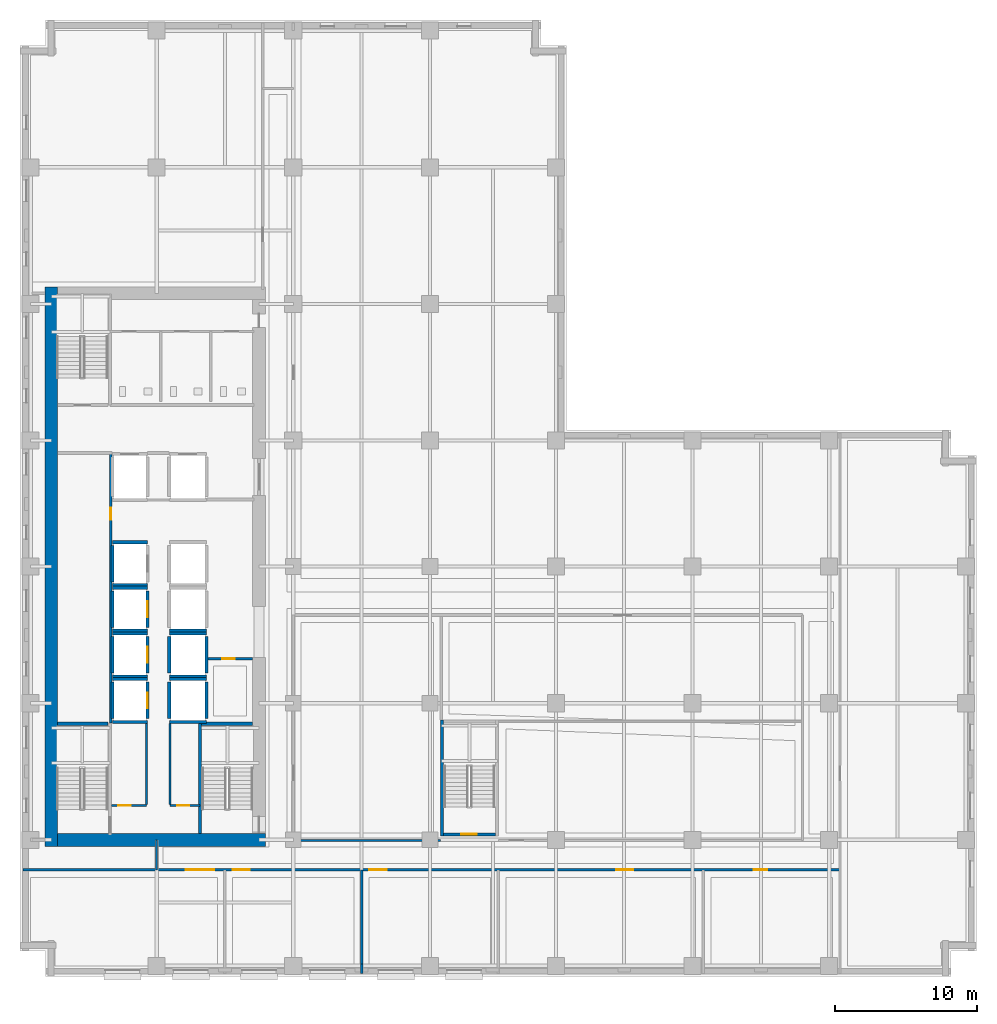
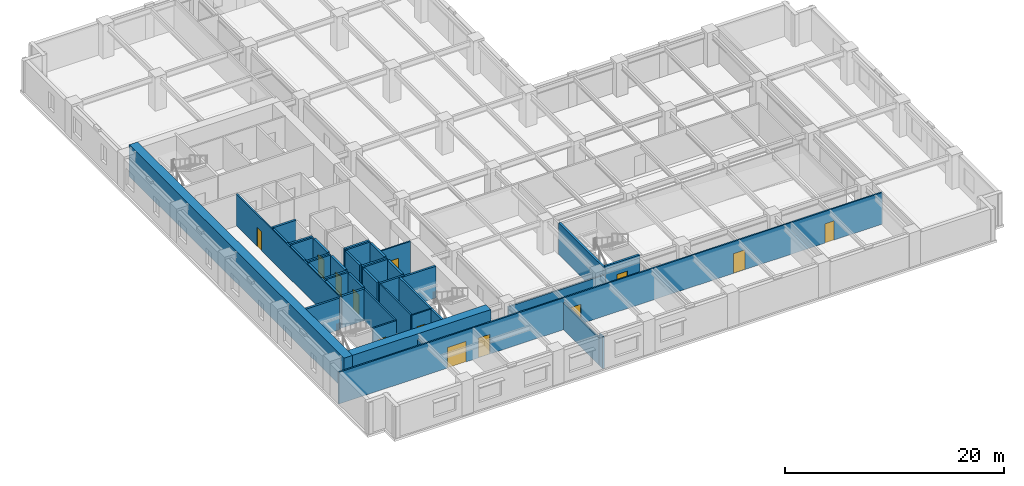
# One storey, part 4 of 14: 42 walls, 13 doors, 13 openings.
"""IFC4 building model written with IfcOpenShell, lengths in metres."""

from ifc_helpers import new_model, si_unit, direction, frame, frame_2d, origin, place, context, subcontext, project, spatial, rectangle, extrude, material, layer, layer_set, type_object, element, fill, save


model = new_model("IFC4")

# Units and contexts
model_context = context("Model", 3, precision=1e-05, world=origin(), true_north=direction((0.0, 1.0)))
body_context = subcontext(model_context, "Body", "Model", "MODEL_VIEW")
ifc_project = project(units=[si_unit("LENGTHUNIT", "METRE"), si_unit("AREAUNIT", "SQUARE_METRE"), si_unit("VOLUMEUNIT", "CUBIC_METRE"), si_unit("PLANEANGLEUNIT", "RADIAN"), si_unit("MASSUNIT", "GRAM", prefix="KILO")], contexts=[model_context])

# Site, building, storey
site_placement = place(None, origin())
site = spatial("IfcSite", under=ifc_project, at=site_placement, CompositionType="ELEMENT")
building_placement = place(site_placement, origin())
building = spatial("IfcBuilding", under=site, at=building_placement, Name="Norrvale University Quadrangle", CompositionType="ELEMENT")
storey_placement = place(building_placement, frame((0.0, 0.0, 28.0)))
storey = spatial("IfcBuildingStorey", under=building, at=storey_placement, Name="L06", CompositionType="ELEMENT", Elevation=28.0)

# Walls
ifc_material_1 = material(Name="Concrete C80/95", Category="concrete")
ifc_layer_1 = layer(ifc_material_1, 0.89990234375, Name="Concrete C80/95")
ifc_layer_set_1 = layer_set([ifc_layer_1], Name="Concrete C80/95")
wall_type_1 = type_object("IfcWallType", Name="Wall Core 900", PredefinedType="SHEAR", material=ifc_layer_set_1)
wall_1_placement = place(storey_placement, frame((2.64990234375, 9.60009765625, 0.0), z_axis=(0.0, 0.0, 1.0), x_axis=(1.0, 0.0, 0.0)))
element("IfcWall", 1, at=wall_1_placement, inside=storey, type_object=wall_type_1, Name="Tower Core Shear Wall L06-S", PredefinedType="SHEAR", context=body_context, shape_type="SweptSolid", body=[
    extrude(rectangle(XDim=14.60009765625, YDim=0.89990234375, at=frame_2d((7.300048828125, 0.0))), origin(), (0.0, 0.0, 1.0), 3.5400390625),
])
wall_2_placement = place(storey_placement, frame((2.199951171875, 9.14990234375, 0.0), z_axis=(0.0, 0.0, 1.0), x_axis=(0.0, 1.0, 0.0)))
element("IfcWall", 2, at=wall_2_placement, inside=storey, type_object=wall_type_1, Name="Tower Core Shear Wall L06-W", PredefinedType="SHEAR", context=body_context, shape_type="SweptSolid", body=[
    extrude(rectangle(XDim=39.300048828125, YDim=0.89990234375, at=frame_2d((19.64990234375, 0.0))), origin(), (0.0, 0.0, 1.0), 3.5400390625),
])

# Wall, opening, door
ifc_material_2 = material(Name="Fire-Rated Gypsum Stud Partition")
ifc_layer_2 = layer(ifc_material_2, 0.14990234375, Name="Fire-Rated Gypsum Stud Partition")
ifc_layer_set_2 = layer_set([ifc_layer_2], Name="Fire-Rated Gypsum Stud Partition")
wall_type_2 = type_object("IfcWallType", Name="Wall Gypsum Corridor 150", PredefinedType="PARTITIONING", material=ifc_layer_set_2)
wall_3_placement = place(storey_placement, frame((6.419921875, 12.02001953125, 0.0), z_axis=(0.0, 0.0, 1.0), x_axis=(1.0, 0.0, 0.0)))
wall_3 = element("IfcWall", 3, at=wall_3_placement, inside=storey, type_object=wall_type_2, Name="Interior Partition WL-L06-SC-NL", PredefinedType="PARTITIONING", context=body_context, shape_type="SweptSolid", body=[
    extrude(rectangle(XDim=2.47998046875, YDim=0.14990234375, at=frame_2d((1.239990234375, 0.0))), origin(), (0.0, 0.0, 1.0), 3.5400390625),
])
opening_1_placement = place(wall_3_placement, frame((0.5, 0.0, 0.0)))
opening_1 = element("IfcOpeningElement", 4, at=opening_1_placement, cuts=wall_3, Name="Opening D10", PredefinedType="OPENING", context=body_context, shape_type="SweptSolid", body=[
    extrude(rectangle(XDim=0.85009765625, YDim=2.10009765625, at=frame_2d((0.425048828125, 1.050048828125))), frame((0.0, 0.0869140625, 0.0), z_axis=(0.0, -1.0, 0.0), x_axis=(1.0, 0.0, 0.0)), (0.0, 0.0, 1.0), 0.173828125),
])
ifc_material_3 = material(Name="Hollow Steel 350W Riser Fire Door", Category="steel")
door_type_1 = type_object("IfcDoorType", Name="Door Riser 850x2100", OperationType="NOTDEFINED", PredefinedType="DOOR", material=ifc_material_3)
door_1_placement = place(opening_1_placement, origin())
door_1 = element("IfcDoor", 5, at=door_1_placement, inside=storey, type_object=door_type_1, Name="Door Riser 850x2100 DR-L06-ELEC", OperationType="SINGLE_SWING_LEFT", OverallHeight=2.10009765625, OverallWidth=0.85009765625, PredefinedType="DOOR", context=body_context, shape_type="SweptSolid", body=[
    extrude(rectangle(XDim=0.85009765625, YDim=2.10009765625, at=frame_2d((0.425048828125, 1.050048828125))), frame((0.0, 0.02490234375, 0.0), z_axis=(0.0, -1.0, 0.0), x_axis=(1.0, 0.0, 0.0)), (0.0, 0.0, 1.0), 0.050048828125),
])
fill(opening_1, door_1)

wall_4_placement = place(storey_placement, frame((10.550048828125, 12.02001953125, 0.0), z_axis=(0.0, 0.0, 1.0), x_axis=(1.0, 0.0, 0.0)))
wall_4 = element("IfcWall", 6, at=wall_4_placement, inside=storey, type_object=wall_type_2, Name="Interior Partition WL-L06-SC-NR", PredefinedType="PARTITIONING", context=body_context, shape_type="SweptSolid", body=[
    extrude(rectangle(XDim=2.079833984375, YDim=0.14990234375, at=frame_2d((1.0400390625, 0.0))), origin(), (0.0, 0.0, 1.0), 3.5400390625),
])
opening_2_placement = place(wall_4_placement, frame((0.5, 0.0, 0.0)))
opening_2 = element("IfcOpeningElement", 7, at=opening_2_placement, cuts=wall_4, Name="Opening D10", PredefinedType="OPENING", context=body_context, shape_type="SweptSolid", body=[
    extrude(rectangle(XDim=0.85009765625, YDim=2.10009765625, at=frame_2d((0.425048828125, 1.050048828125))), frame((0.0, 0.0869140625, 0.0), z_axis=(0.0, -1.0, 0.0), x_axis=(1.0, 0.0, 0.0)), (0.0, 0.0, 1.0), 0.173828125),
])
door_2_placement = place(opening_2_placement, origin())
door_2 = element("IfcDoor", 8, at=door_2_placement, inside=storey, type_object=door_type_1, Name="Door Riser 850x2100 DR-L06-IDF", OperationType="SINGLE_SWING_RIGHT", OverallHeight=2.10009765625, OverallWidth=0.85009765625, PredefinedType="DOOR", context=body_context, shape_type="SweptSolid", body=[
    extrude(rectangle(XDim=0.85009765625, YDim=2.10009765625, at=frame_2d((0.425048828125, 1.050048828125))), frame((0.0, 0.02490234375, 0.0), z_axis=(0.0, -1.0, 0.0), x_axis=(1.0, 0.0, 0.0)), (0.0, 0.0, 1.0), 0.050048828125),
])
fill(opening_2, door_2)

# Walls
for number, where, z_axis, x_axis, name in (
    (9, (8.89990234375, 12.094970703125, 0.0), (0.0, 0.0, 1.0), (0.0, 1.0, 0.0), "Interior Partition WL-L06-SC-WL"),
    (10, (10.550048828125, 12.094970703125, 0.0), (0.0, 0.0, 1.0), (0.0, 1.0, 0.0), "Interior Partition WL-L06-SC-WR"),
):
    element("IfcWall", number, at=place(storey_placement, frame(where, z_axis=z_axis, x_axis=x_axis)), inside=storey, type_object=wall_type_2, Name=name, PredefinedType="PARTITIONING", context=body_context, shape_type="SweptSolid", body=[
        extrude(rectangle(XDim=5.679931640625, YDim=0.14990234375, at=frame_2d((2.83984375, 0.0))), origin(), (0.0, 0.0, 1.0), 3.5400390625),
    ])

# Wall, opening, door
wall_5_placement = place(storey_placement, frame((13.22509765625, 22.320068359375, 0.0), z_axis=(0.0, 0.0, 1.0), x_axis=(1.0, 0.0, 0.0)))
wall_5 = element("IfcWall", 11, at=wall_5_placement, inside=storey, type_object=wall_type_2, Name="Interior Partition WL-L06-JAN-N", PredefinedType="PARTITIONING", context=body_context, shape_type="SweptSolid", body=[
    extrude(rectangle(XDim=3.119873046875, YDim=0.14990234375, at=frame_2d((1.56005859375, 0.0))), origin(), (0.0, 0.0, 1.0), 3.5400390625),
])
opening_3_placement = place(wall_5_placement, frame((1.0, 0.0, 0.0)))
opening_3 = element("IfcOpeningElement", 12, at=opening_3_placement, cuts=wall_5, Name="Opening D10", PredefinedType="OPENING", context=body_context, shape_type="SweptSolid", body=[
    extrude(rectangle(XDim=0.85009765625, YDim=2.10009765625, at=frame_2d((0.425048828125, 1.050048828125))), frame((0.0, 0.0869140625, 0.0), z_axis=(0.0, -1.0, 0.0), x_axis=(1.0, 0.0, 0.0)), (0.0, 0.0, 1.0), 0.173828125),
])
door_3_placement = place(opening_3_placement, origin())
door_3 = element("IfcDoor", 13, at=door_3_placement, inside=storey, type_object=door_type_1, Name="Door Riser 850x2100 DR-L06-JAN", OperationType="SINGLE_SWING_LEFT", OverallHeight=2.10009765625, OverallWidth=0.85009765625, PredefinedType="DOOR", context=body_context, shape_type="SweptSolid", body=[
    extrude(rectangle(XDim=0.85009765625, YDim=2.10009765625, at=frame_2d((0.425048828125, 1.050048828125))), frame((0.0, 0.02490234375, 0.0), z_axis=(0.0, -1.0, 0.0), x_axis=(1.0, 0.0, 0.0)), (0.0, 0.0, 1.0), 0.050048828125),
])
fill(opening_3, door_3)

wall_6_placement = place(storey_placement, frame((6.3798828125, 17.800048828125, 0.0), z_axis=(0.0, 0.0, 1.0), x_axis=(0.0, 1.0, 0.0)))
wall_6 = element("IfcWall", 14, at=wall_6_placement, inside=storey, type_object=wall_type_2, Name="Interior Partition WL-L06-WME-E", PredefinedType="PARTITIONING", context=body_context, shape_type="SweptSolid", body=[
    extrude(rectangle(XDim=18.97998046875, YDim=0.14990234375, at=frame_2d((9.489990234375, 0.0))), origin(), (0.0, 0.0, 1.0), 3.5400390625),
])
opening_4_placement = place(wall_6_placement, frame((14.300048828125, 0.0, 0.0)))
opening_4 = element("IfcOpeningElement", 15, at=opening_4_placement, cuts=wall_6, Name="Opening D10", PredefinedType="OPENING", context=body_context, shape_type="SweptSolid", body=[
    extrude(rectangle(XDim=0.85009765625, YDim=2.10009765625, at=frame_2d((0.425048828125, 1.050048828125))), frame((0.0, 0.0869140625, 0.0), z_axis=(0.0, -1.0, 0.0), x_axis=(1.0, 0.0, 0.0)), (0.0, 0.0, 1.0), 0.173828125),
])
door_4_placement = place(opening_4_placement, origin())
door_4 = element("IfcDoor", 16, at=door_4_placement, inside=storey, type_object=door_type_1, Name="Door Riser 850x2100 DR-L06-WME", OperationType="SINGLE_SWING_LEFT", OverallHeight=2.10009765625, OverallWidth=0.85009765625, PredefinedType="DOOR", context=body_context, shape_type="SweptSolid", body=[
    extrude(rectangle(XDim=0.85009765625, YDim=2.10009765625, at=frame_2d((0.425048828125, 1.050048828125))), frame((0.0, 0.02490234375, 0.0), z_axis=(0.0, -1.0, 0.0), x_axis=(1.0, 0.0, 0.0)), (0.0, 0.0, 1.0), 0.050048828125),
])
fill(opening_4, door_4)

# Wall
wall_7_placement = place(storey_placement, frame((9.60009765625, 7.5, 0.0), z_axis=(0.0, 0.0, 1.0), x_axis=(0.0, 1.0, 0.0)))
element("IfcWall", 17, at=wall_7_placement, inside=storey, type_object=wall_type_2, Name="Interior Partition WL-L06-CSW-END", PredefinedType="PARTITIONING", context=body_context, shape_type="SweptSolid", body=[
    extrude(rectangle(XDim=2.10009765625, YDim=0.14990234375, at=frame_2d((1.050048828125, 0.0))), origin(), (0.0, 0.0, 1.0), 2.923095703125),
])

# Wall, openings, doors
wall_8_placement = place(storey_placement, frame((0.219970703125, 7.5, 0.0), z_axis=(0.0, 0.0, 1.0), x_axis=(1.0, 0.0, 0.0)))
wall_8 = element("IfcWall", 18, at=wall_8_placement, inside=storey, type_object=wall_type_2, Name="Interior Partition WL-L06-SCW", PredefinedType="PARTITIONING", context=body_context, shape_type="SweptSolid", body=[
    extrude(rectangle(XDim=57.380126953125, YDim=0.14990234375, at=frame_2d((28.68994140625, 0.0))), origin(), (0.0, 0.0, 1.0), 3.5400390625),
])
opening_5_placement = place(wall_8_placement, frame((11.429931640625, 0.0, 0.0)))
opening_5 = element("IfcOpeningElement", 19, at=opening_5_placement, cuts=wall_8, Name="Opening D06", PredefinedType="OPENING", context=body_context, shape_type="SweptSolid", body=[
    extrude(rectangle(XDim=2.0, YDim=2.300048828125, at=frame_2d((1.0, 1.14990234375))), frame((0.0, 0.0869140625, 0.0), z_axis=(0.0, -1.0, 0.0), x_axis=(1.0, 0.0, 0.0)), (0.0, 0.0, 1.0), 0.173828125),
])
opening_6_placement = place(wall_8_placement, frame((14.72998046875, 0.0, 0.0)))
opening_6 = element("IfcOpeningElement", 20, at=opening_6_placement, cuts=wall_8, Name="Opening D05", PredefinedType="OPENING", context=body_context, shape_type="SweptSolid", body=[
    extrude(rectangle(XDim=1.199951171875, YDim=2.199951171875, at=frame_2d((0.60009765625, 1.10009765625))), frame((0.0, 0.0869140625, 0.0), z_axis=(0.0, -1.0, 0.0), x_axis=(1.0, 0.0, 0.0)), (0.0, 0.0, 1.0), 0.173828125),
])
opening_7_placement = place(wall_8_placement, frame((24.330078125, 0.0, 0.0)))
opening_7 = element("IfcOpeningElement", 21, at=opening_7_placement, cuts=wall_8, Name="Opening D05", PredefinedType="OPENING", context=body_context, shape_type="SweptSolid", body=[
    extrude(rectangle(XDim=1.199951171875, YDim=2.199951171875, at=frame_2d((0.60009765625, 1.10009765625))), frame((0.0, 0.0869140625, 0.0), z_axis=(0.0, -1.0, 0.0), x_axis=(1.0, 0.0, 0.0)), (0.0, 0.0, 1.0), 0.173828125),
])
opening_8_placement = place(wall_8_placement, frame((41.679931640625, 0.0, 0.0)))
opening_8 = element("IfcOpeningElement", 22, at=opening_8_placement, cuts=wall_8, Name="Opening D05", PredefinedType="OPENING", context=body_context, shape_type="SweptSolid", body=[
    extrude(rectangle(XDim=1.199951171875, YDim=2.199951171875, at=frame_2d((0.60009765625, 1.10009765625))), frame((0.0, 0.0869140625, 0.0), z_axis=(0.0, -1.0, 0.0), x_axis=(1.0, 0.0, 0.0)), (0.0, 0.0, 1.0), 0.173828125),
])
opening_9_placement = place(wall_8_placement, frame((51.330078125, 0.0, 0.0)))
opening_9 = element("IfcOpeningElement", 23, at=opening_9_placement, cuts=wall_8, Name="Opening D07", PredefinedType="OPENING", context=body_context, shape_type="SweptSolid", body=[
    extrude(rectangle(XDim=0.949951171875, YDim=2.14990234375, at=frame_2d((0.47509765625, 1.074951171875))), frame((0.0, 0.0869140625, 0.0), z_axis=(0.0, -1.0, 0.0), x_axis=(1.0, 0.0, 0.0)), (0.0, 0.0, 1.0), 0.173828125),
])
ifc_material_4 = material(Name="Acoustic Oak Classroom Door", Category="wood")
door_type_2 = type_object("IfcDoorType", Name="Door Classroom 1200x2200", OperationType="NOTDEFINED", PredefinedType="DOOR", material=ifc_material_4)
door_5_placement = place(opening_6_placement, origin())
door_5 = element("IfcDoor", 24, at=door_5_placement, inside=storey, type_object=door_type_2, Name="Door Classroom 1200x2200 DR-L06-S02", OperationType="SINGLE_SWING_RIGHT", OverallHeight=2.199951171875, OverallWidth=1.199951171875, PredefinedType="DOOR", context=body_context, shape_type="SweptSolid", body=[
    extrude(rectangle(XDim=1.199951171875, YDim=2.199951171875, at=frame_2d((0.60009765625, 1.10009765625))), frame((0.0, 0.02490234375, 0.0), z_axis=(0.0, -1.0, 0.0), x_axis=(1.0, 0.0, 0.0)), (0.0, 0.0, 1.0), 0.050048828125),
])
fill(opening_6, door_5)
door_6_placement = place(opening_7_placement, origin())
door_6 = element("IfcDoor", 25, at=door_6_placement, inside=storey, type_object=door_type_2, Name="Door Classroom 1200x2200 DR-L06-S03", OperationType="SINGLE_SWING_LEFT", OverallHeight=2.199951171875, OverallWidth=1.199951171875, PredefinedType="DOOR", context=body_context, shape_type="SweptSolid", body=[
    extrude(rectangle(XDim=1.199951171875, YDim=2.199951171875, at=frame_2d((0.60009765625, 1.10009765625))), frame((0.0, 0.02490234375, 0.0), z_axis=(0.0, -1.0, 0.0), x_axis=(1.0, 0.0, 0.0)), (0.0, 0.0, 1.0), 0.050048828125),
])
fill(opening_7, door_6)
door_7_placement = place(opening_8_placement, origin())
door_7 = element("IfcDoor", 26, at=door_7_placement, inside=storey, type_object=door_type_2, Name="Door Classroom 1200x2200 DR-L06-S04", OperationType="SINGLE_SWING_RIGHT", OverallHeight=2.199951171875, OverallWidth=1.199951171875, PredefinedType="DOOR", context=body_context, shape_type="SweptSolid", body=[
    extrude(rectangle(XDim=1.199951171875, YDim=2.199951171875, at=frame_2d((0.60009765625, 1.10009765625))), frame((0.0, 0.02490234375, 0.0), z_axis=(0.0, -1.0, 0.0), x_axis=(1.0, 0.0, 0.0)), (0.0, 0.0, 1.0), 0.050048828125),
])
fill(opening_8, door_7)
ifc_material_5 = material(Name="Acoustic Oak Double Door", Category="wood")
door_type_3 = type_object("IfcDoorType", Name="Door Lecture Dbl 2000x2300", OperationType="DOUBLE_SWING_LEFT", PredefinedType="DOOR", material=ifc_material_5)
door_8_placement = place(opening_5_placement, origin())
door_8 = element("IfcDoor", 27, at=door_8_placement, inside=storey, type_object=door_type_3, Name="Door Lecture Dbl 2000x2300 DR-L06-S01", OperationType="DOUBLE_SWING_LEFT", OverallHeight=2.300048828125, OverallWidth=2.0, PredefinedType="DOOR", context=body_context, shape_type="SweptSolid", body=[
    extrude(rectangle(XDim=2.0, YDim=2.300048828125, at=frame_2d((1.0, 1.14990234375))), frame((0.0, 0.02490234375, 0.0), z_axis=(0.0, -1.0, 0.0), x_axis=(1.0, 0.0, 0.0)), (0.0, 0.0, 1.0), 0.050048828125),
])
fill(opening_5, door_8)
ifc_material_6 = material(Name="Solid-Core Maple Door", Category="wood")
door_type_4 = type_object("IfcDoorType", Name="Door Office 950x2150", OperationType="NOTDEFINED", PredefinedType="DOOR", material=ifc_material_6)
door_9_placement = place(opening_9_placement, origin())
door_9 = element("IfcDoor", 28, at=door_9_placement, inside=storey, type_object=door_type_4, Name="Door Office 950x2150 DR-L06-S05", OperationType="SINGLE_SWING_LEFT", OverallHeight=2.14990234375, OverallWidth=0.949951171875, PredefinedType="DOOR", context=body_context, shape_type="SweptSolid", body=[
    extrude(rectangle(XDim=0.949951171875, YDim=2.14990234375, at=frame_2d((0.47509765625, 1.074951171875))), frame((0.0, 0.02490234375, 0.0), z_axis=(0.0, -1.0, 0.0), x_axis=(1.0, 0.0, 0.0)), (0.0, 0.0, 1.0), 0.050048828125),
])
fill(opening_9, door_9)

# Walls
wall_9_placement = place(storey_placement, frame((19.280029296875, 9.550048828125, 0.0), z_axis=(0.0, 0.0, 1.0), x_axis=(1.0, 0.0, 0.0)))
element("IfcWall", 29, at=wall_9_placement, inside=storey, type_object=wall_type_2, Name="Interior Partition WL-L06-ISLS1", PredefinedType="PARTITIONING", context=body_context, shape_type="SweptSolid", body=[
    extrude(rectangle(XDim=10.244873046875, YDim=0.14990234375, at=frame_2d((5.12255859375, 0.0))), origin(), (0.0, 0.0, 1.0), 2.923095703125),
])
ifc_material_7 = material(Name="Acoustic Double-Stud Gypsum Partition")
ifc_layer_3 = layer(ifc_material_7, 0.179931640625, Name="Acoustic Double-Stud Gypsum Partition")
ifc_layer_set_3 = layer_set([ifc_layer_3], Name="Acoustic Double-Stud Gypsum Partition")
wall_type_3 = type_object("IfcWallType", Name="Wall Gypsum Lecture 180", PredefinedType="PARTITIONING", material=ifc_layer_set_3)
wall_10_placement = place(storey_placement, frame((24.0, 0.219970703125, 0.0), z_axis=(0.0, 0.0, 1.0), x_axis=(0.0, 1.0, 0.0)))
element("IfcWall", 30, at=wall_10_placement, inside=storey, type_object=wall_type_3, Name="Interior Partition WL-L06-SP02", PredefinedType="PARTITIONING", context=body_context, shape_type="SweptSolid", body=[
    extrude(rectangle(XDim=0.64501953125, YDim=0.179931640625, at=frame_2d((0.322509765625, 0.0))), origin(), (0.0, 0.0, 1.0), 3.5400390625),
])
wall_11_placement = place(storey_placement, frame((24.0, 0.864990234375, 0.0), z_axis=(0.0, 0.0, 1.0), x_axis=(0.0, 1.0, 0.0)))
element("IfcWall", 31, at=wall_11_placement, inside=storey, type_object=wall_type_3, Name="Interior Partition WL-L06-SP02-B2", PredefinedType="PARTITIONING", context=body_context, shape_type="SweptSolid", body=[
    extrude(rectangle(XDim=6.635009765625, YDim=0.179931640625, at=frame_2d((3.3173828125, 0.0))), origin(), (0.0, 0.0, 1.0), 3.007080078125),
])
ifc_material_8 = material(Name="Concrete Blockwork 20 MPa Fire Shaft", Category="masonry")
ifc_layer_4 = layer(ifc_material_8, 0.219970703125, Name="Concrete Blockwork 20 MPa Fire Shaft")
ifc_layer_set_4 = layer_set([ifc_layer_4], Name="Concrete Blockwork 20 MPa Fire Shaft")
wall_type_4 = type_object("IfcWallType", Name="Wall Shaft 220", PredefinedType="SOLIDWALL", material=ifc_layer_set_4)
wall_12_placement = place(storey_placement, frame((2.64990234375, 17.760009765625, 0.0), z_axis=(0.0, 0.0, 1.0), x_axis=(1.0, 0.0, 0.0)))
element("IfcWall", 32, at=wall_12_placement, inside=storey, type_object=wall_type_4, Name="Stair ST-01 North Shaft Wall L06", PredefinedType="SOLIDWALL", context=body_context, shape_type="SweptSolid", body=[
    extrude(rectangle(XDim=3.550048828125, YDim=0.219970703125, at=frame_2d((1.77490234375, 0.0))), origin(), (0.0, 0.0, 1.0), 3.5400390625),
])
wall_13_placement = place(storey_placement, frame((12.639892578125, 10.050048828125, 0.0), z_axis=(0.0, 0.0, 1.0), x_axis=(0.0, 1.0, 0.0)))
element("IfcWall", 33, at=wall_13_placement, inside=storey, type_object=wall_type_4, Name="Stair ST-03 West Shaft Wall L06", PredefinedType="SOLIDWALL", context=body_context, shape_type="SweptSolid", body=[
    extrude(rectangle(XDim=7.7099609375, YDim=0.219970703125, at=frame_2d((3.85498046875, 0.0))), origin(), (0.0, 0.0, 1.0), 3.5400390625),
])
wall_14_placement = place(storey_placement, frame((12.75, 17.760009765625, 0.0), z_axis=(0.0, 0.0, 1.0), x_axis=(1.0, 0.0, 0.0)))
element("IfcWall", 34, at=wall_14_placement, inside=storey, type_object=wall_type_4, Name="Stair ST-03 North Shaft Wall L06", PredefinedType="SOLIDWALL", context=body_context, shape_type="SweptSolid", body=[
    extrude(rectangle(XDim=3.60009765625, YDim=0.219970703125, at=frame_2d((1.800048828125, 0.0))), origin(), (0.0, 0.0, 1.0), 3.5400390625),
])

# Wall, opening, door
wall_15_placement = place(storey_placement, frame((29.75, 9.989990234375, 0.0), z_axis=(0.0, 0.0, 1.0), x_axis=(1.0, 0.0, 0.0)))
wall_15 = element("IfcWall", 35, at=wall_15_placement, inside=storey, type_object=wall_type_4, Name="Stair ST-04 South Shaft Wall L06", PredefinedType="SOLIDWALL", context=body_context, shape_type="SweptSolid", body=[
    extrude(rectangle(XDim=3.64990234375, YDim=0.219970703125, at=frame_2d((1.824951171875, 0.0))), origin(), (0.0, 0.0, 1.0), 3.5400390625),
])
opening_10_placement = place(wall_15_placement, frame((1.239990234375, 0.0, 0.0)))
opening_10 = element("IfcOpeningElement", 36, at=opening_10_placement, cuts=wall_15, Name="Opening D02", PredefinedType="OPENING", context=body_context, shape_type="SweptSolid", body=[
    extrude(rectangle(XDim=1.10009765625, YDim=2.199951171875, at=frame_2d((0.550048828125, 1.10009765625))), frame((0.0, 0.1220703125, 0.0), z_axis=(0.0, -1.0, 0.0), x_axis=(1.0, 0.0, 0.0)), (0.0, 0.0, 1.0), 0.243896484375),
])
ifc_material_9 = material(Name="Hollow Steel 350W Fire Door", Category="steel")
door_type_5 = type_object("IfcDoorType", Name="Door Stair Exit 1100x2200", OperationType="NOTDEFINED", PredefinedType="DOOR", material=ifc_material_9)
door_10_placement = place(opening_10_placement, origin())
door_10 = element("IfcDoor", 37, at=door_10_placement, inside=storey, type_object=door_type_5, Name="Door Stair Exit 1100x2200 DR-L06-ST04", OperationType="SINGLE_SWING_LEFT", OverallHeight=2.199951171875, OverallWidth=1.10009765625, PredefinedType="DOOR", context=body_context, shape_type="SweptSolid", body=[
    extrude(rectangle(XDim=1.10009765625, YDim=2.199951171875, at=frame_2d((0.550048828125, 1.10009765625))), frame((0.0, 0.02490234375, 0.0), z_axis=(0.0, -1.0, 0.0), x_axis=(1.0, 0.0, 0.0)), (0.0, 0.0, 1.0), 0.050048828125),
])
fill(opening_10, door_10)

# Walls
wall_16_placement = place(storey_placement, frame((29.639892578125, 9.8798828125, 0.0), z_axis=(0.0, 0.0, 1.0), x_axis=(0.0, 1.0, 0.0)))
element("IfcWall", 38, at=wall_16_placement, inside=storey, type_object=wall_type_4, Name="Stair ST-04 West Shaft Wall L06", PredefinedType="SOLIDWALL", context=body_context, shape_type="SweptSolid", body=[
    extrude(rectangle(XDim=8.14013671875, YDim=0.219970703125, at=frame_2d((4.070068359375, 0.0))), origin(), (0.0, 0.0, 1.0), 3.5400390625),
])
wall_17_placement = place(storey_placement, frame((6.489990234375, 18.110107421875, 0.0), z_axis=(0.0, 0.0, 1.0), x_axis=(0.0, 1.0, 0.0)))
element("IfcWall", 39, at=wall_17_placement, inside=storey, type_object=wall_type_4, Name="Hoistway PL-01 West Wall L06", PredefinedType="SOLIDWALL", context=body_context, shape_type="SweptSolid", body=[
    extrude(rectangle(XDim=2.579833984375, YDim=0.219970703125, at=frame_2d((1.2900390625, 0.0))), origin(), (0.0, 0.0, 1.0), 3.5400390625),
])

# Wall, opening, door
wall_18_placement = place(storey_placement, frame((8.9599609375, 18.110107421875, 0.0), z_axis=(0.0, 0.0, 1.0), x_axis=(0.0, 1.0, 0.0)))
wall_18 = element("IfcWall", 40, at=wall_18_placement, inside=storey, type_object=wall_type_4, Name="Hoistway PL-01 East Wall L06", PredefinedType="SOLIDWALL", context=body_context, shape_type="SweptSolid", body=[
    extrude(rectangle(XDim=2.579833984375, YDim=0.219970703125, at=frame_2d((1.2900390625, 0.0))), origin(), (0.0, 0.0, 1.0), 3.5400390625),
])
opening_11_placement = place(wall_18_placement, frame((0.739990234375, 0.0, 0.0)))
opening_11 = element("IfcOpeningElement", 41, at=opening_11_placement, cuts=wall_18, Name="Opening LD1", PredefinedType="OPENING", context=body_context, shape_type="SweptSolid", body=[
    extrude(rectangle(XDim=1.10009765625, YDim=2.199951171875, at=frame_2d((0.550048828125, 1.10009765625))), frame((0.0, 0.1220703125, 0.0), z_axis=(0.0, -1.0, 0.0), x_axis=(1.0, 0.0, 0.0)), (0.0, 0.0, 1.0), 0.243896484375),
])
ifc_material_10 = material(Name="Stainless Steel 316L Lift Landing Door", Category="steel")
door_type_6 = type_object("IfcDoorType", Name="Door Lift Landing 1100x2200", OperationType="DOUBLE_DOOR_SLIDING", PredefinedType="DOOR", material=ifc_material_10)
door_11_placement = place(opening_11_placement, origin())
door_11 = element("IfcDoor", 42, at=door_11_placement, inside=storey, type_object=door_type_6, Name="Elevator Landing Door DR-L06-PL-01", OperationType="DOUBLE_DOOR_SLIDING", OverallHeight=2.199951171875, OverallWidth=1.10009765625, PredefinedType="DOOR", context=body_context, shape_type="SweptSolid", body=[
    extrude(rectangle(XDim=1.10009765625, YDim=2.199951171875, at=frame_2d((0.550048828125, 1.10009765625))), frame((0.0, 0.02490234375, 0.0), z_axis=(0.0, -1.0, 0.0), x_axis=(1.0, 0.0, 0.0)), (0.0, 0.0, 1.0), 0.050048828125),
])
fill(opening_11, door_11)

# Walls
for number, where, z_axis, x_axis, name in (
    (43, (6.489990234375, 17.889892578125, 0.0), (0.0, 0.0, 1.0), (1.0, 0.0, 0.0), "Hoistway PL-01 South Wall L06"),
    (44, (6.489990234375, 20.909912109375, 0.0), (0.0, 0.0, 1.0), (1.0, 0.0, 0.0), "Hoistway PL-01 North Wall L06"),
):
    element("IfcWall", number, at=place(storey_placement, frame(where, z_axis=z_axis, x_axis=x_axis)), inside=storey, type_object=wall_type_4, Name=name, PredefinedType="SOLIDWALL", context=body_context, shape_type="SweptSolid", body=[
        extrude(rectangle(XDim=2.469970703125, YDim=0.219970703125, at=frame_2d((1.23486328125, 0.0))), origin(), (0.0, 0.0, 1.0), 3.5400390625),
    ])
wall_19_placement = place(storey_placement, frame((6.489990234375, 21.31005859375, 0.0), z_axis=(0.0, 0.0, 1.0), x_axis=(0.0, 1.0, 0.0)))
element("IfcWall", 45, at=wall_19_placement, inside=storey, type_object=wall_type_4, Name="Hoistway PL-02 West Wall L06", PredefinedType="SOLIDWALL", context=body_context, shape_type="SweptSolid", body=[
    extrude(rectangle(XDim=2.579833984375, YDim=0.219970703125, at=frame_2d((1.2900390625, 0.0))), origin(), (0.0, 0.0, 1.0), 3.5400390625),
])

# Wall, opening, door
wall_20_placement = place(storey_placement, frame((8.9599609375, 21.31005859375, 0.0), z_axis=(0.0, 0.0, 1.0), x_axis=(0.0, 1.0, 0.0)))
wall_20 = element("IfcWall", 46, at=wall_20_placement, inside=storey, type_object=wall_type_4, Name="Hoistway PL-02 East Wall L06", PredefinedType="SOLIDWALL", context=body_context, shape_type="SweptSolid", body=[
    extrude(rectangle(XDim=2.579833984375, YDim=0.219970703125, at=frame_2d((1.2900390625, 0.0))), origin(), (0.0, 0.0, 1.0), 3.5400390625),
])
opening_12_placement = place(wall_20_placement, frame((0.739990234375, 0.0, 0.0)))
opening_12 = element("IfcOpeningElement", 47, at=opening_12_placement, cuts=wall_20, Name="Opening LD1", PredefinedType="OPENING", context=body_context, shape_type="SweptSolid", body=[
    extrude(rectangle(XDim=1.10009765625, YDim=2.199951171875, at=frame_2d((0.550048828125, 1.10009765625))), frame((0.0, 0.1220703125, 0.0), z_axis=(0.0, -1.0, 0.0), x_axis=(1.0, 0.0, 0.0)), (0.0, 0.0, 1.0), 0.243896484375),
])
door_12_placement = place(opening_12_placement, origin())
door_12 = element("IfcDoor", 48, at=door_12_placement, inside=storey, type_object=door_type_6, Name="Elevator Landing Door DR-L06-PL-02", OperationType="DOUBLE_DOOR_SLIDING", OverallHeight=2.199951171875, OverallWidth=1.10009765625, PredefinedType="DOOR", context=body_context, shape_type="SweptSolid", body=[
    extrude(rectangle(XDim=1.10009765625, YDim=2.199951171875, at=frame_2d((0.550048828125, 1.10009765625))), frame((0.0, 0.02490234375, 0.0), z_axis=(0.0, -1.0, 0.0), x_axis=(1.0, 0.0, 0.0)), (0.0, 0.0, 1.0), 0.050048828125),
])
fill(opening_12, door_12)

# Walls
for number, where, z_axis, x_axis, name in (
    (49, (6.489990234375, 21.090087890625, 0.0), (0.0, 0.0, 1.0), (1.0, 0.0, 0.0), "Hoistway PL-02 South Wall L06"),
    (50, (6.489990234375, 24.110107421875, 0.0), (0.0, 0.0, 1.0), (1.0, 0.0, 0.0), "Hoistway PL-02 North Wall L06"),
):
    element("IfcWall", number, at=place(storey_placement, frame(where, z_axis=z_axis, x_axis=x_axis)), inside=storey, type_object=wall_type_4, Name=name, PredefinedType="SOLIDWALL", context=body_context, shape_type="SweptSolid", body=[
        extrude(rectangle(XDim=2.469970703125, YDim=0.219970703125, at=frame_2d((1.23486328125, 0.0))), origin(), (0.0, 0.0, 1.0), 3.5400390625),
    ])
wall_21_placement = place(storey_placement, frame((6.489990234375, 24.510009765625, 0.0), z_axis=(0.0, 0.0, 1.0), x_axis=(0.0, 1.0, 0.0)))
element("IfcWall", 51, at=wall_21_placement, inside=storey, type_object=wall_type_4, Name="Hoistway PL-03 West Wall L06", PredefinedType="SOLIDWALL", context=body_context, shape_type="SweptSolid", body=[
    extrude(rectangle(XDim=2.580078125, YDim=0.219970703125, at=frame_2d((1.2900390625, 0.0))), origin(), (0.0, 0.0, 1.0), 3.5400390625),
])

# Wall, opening, door
wall_22_placement = place(storey_placement, frame((8.9599609375, 24.510009765625, 0.0), z_axis=(0.0, 0.0, 1.0), x_axis=(0.0, 1.0, 0.0)))
wall_22 = element("IfcWall", 52, at=wall_22_placement, inside=storey, type_object=wall_type_4, Name="Hoistway PL-03 East Wall L06", PredefinedType="SOLIDWALL", context=body_context, shape_type="SweptSolid", body=[
    extrude(rectangle(XDim=2.580078125, YDim=0.219970703125, at=frame_2d((1.2900390625, 0.0))), origin(), (0.0, 0.0, 1.0), 3.5400390625),
])
opening_13_placement = place(wall_22_placement, frame((0.739990234375, 0.0, 0.0)))
opening_13 = element("IfcOpeningElement", 53, at=opening_13_placement, cuts=wall_22, Name="Opening LD1", PredefinedType="OPENING", context=body_context, shape_type="SweptSolid", body=[
    extrude(rectangle(XDim=1.10009765625, YDim=2.199951171875, at=frame_2d((0.550048828125, 1.10009765625))), frame((0.0, 0.1220703125, 0.0), z_axis=(0.0, -1.0, 0.0), x_axis=(1.0, 0.0, 0.0)), (0.0, 0.0, 1.0), 0.243896484375),
])
door_13_placement = place(opening_13_placement, origin())
door_13 = element("IfcDoor", 54, at=door_13_placement, inside=storey, type_object=door_type_6, Name="Elevator Landing Door DR-L06-PL-03", OperationType="DOUBLE_DOOR_SLIDING", OverallHeight=2.199951171875, OverallWidth=1.10009765625, PredefinedType="DOOR", context=body_context, shape_type="SweptSolid", body=[
    extrude(rectangle(XDim=1.10009765625, YDim=2.199951171875, at=frame_2d((0.550048828125, 1.10009765625))), frame((0.0, 0.02490234375, 0.0), z_axis=(0.0, -1.0, 0.0), x_axis=(1.0, 0.0, 0.0)), (0.0, 0.0, 1.0), 0.050048828125),
])
fill(opening_13, door_13)

# Walls
for number, where, z_axis, x_axis, name in (
    (55, (6.489990234375, 24.2900390625, 0.0), (0.0, 0.0, 1.0), (1.0, 0.0, 0.0), "Hoistway PL-03 South Wall L06"),
    (56, (6.489990234375, 27.31005859375, 0.0), (0.0, 0.0, 1.0), (1.0, 0.0, 0.0), "Hoistway PL-03 North Wall L06"),
):
    element("IfcWall", number, at=place(storey_placement, frame(where, z_axis=z_axis, x_axis=x_axis)), inside=storey, type_object=wall_type_4, Name=name, PredefinedType="SOLIDWALL", context=body_context, shape_type="SweptSolid", body=[
        extrude(rectangle(XDim=2.469970703125, YDim=0.219970703125, at=frame_2d((1.23486328125, 0.0))), origin(), (0.0, 0.0, 1.0), 3.5400390625),
    ])
wall_23_placement = place(storey_placement, frame((6.489990234375, 27.7099609375, 0.0), z_axis=(0.0, 0.0, 1.0), x_axis=(0.0, 1.0, 0.0)))
element("IfcWall", 57, at=wall_23_placement, inside=storey, type_object=wall_type_4, Name="Hoistway PL-04 West Wall L06", PredefinedType="SOLIDWALL", context=body_context, shape_type="SweptSolid", body=[
    extrude(rectangle(XDim=2.580078125, YDim=0.219970703125, at=frame_2d((1.2900390625, 0.0))), origin(), (0.0, 0.0, 1.0), 3.5400390625),
])
for number, where, z_axis, x_axis, name in (
    (58, (6.489990234375, 27.489990234375, 0.0), (0.0, 0.0, 1.0), (1.0, 0.0, 0.0), "Hoistway PL-04 South Wall L06"),
    (59, (6.489990234375, 30.510009765625, 0.0), (0.0, 0.0, 1.0), (1.0, 0.0, 0.0), "Hoistway PL-04 North Wall L06"),
):
    element("IfcWall", number, at=place(storey_placement, frame(where, z_axis=z_axis, x_axis=x_axis)), inside=storey, type_object=wall_type_4, Name=name, PredefinedType="SOLIDWALL", context=body_context, shape_type="SweptSolid", body=[
        extrude(rectangle(XDim=2.469970703125, YDim=0.219970703125, at=frame_2d((1.23486328125, 0.0))), origin(), (0.0, 0.0, 1.0), 3.5400390625),
    ])
for number, where, z_axis, x_axis, name in (
    (60, (10.489990234375, 18.110107421875, 0.0), (0.0, 0.0, 1.0), (0.0, 1.0, 0.0), "Hoistway PL-05 West Wall L06"),
    (61, (13.110107421875, 18.110107421875, 0.0), (0.0, 0.0, 1.0), (0.0, 1.0, 0.0), "Hoistway PL-05 East Wall L06"),
):
    element("IfcWall", number, at=place(storey_placement, frame(where, z_axis=z_axis, x_axis=x_axis)), inside=storey, type_object=wall_type_4, Name=name, PredefinedType="SOLIDWALL", context=body_context, shape_type="SweptSolid", body=[
        extrude(rectangle(XDim=2.579833984375, YDim=0.219970703125, at=frame_2d((1.2900390625, 0.0))), origin(), (0.0, 0.0, 1.0), 3.5400390625),
    ])
for number, where, z_axis, x_axis, name in (
    (62, (10.489990234375, 17.889892578125, 0.0), (0.0, 0.0, 1.0), (1.0, 0.0, 0.0), "Hoistway PL-05 South Wall L06"),
    (63, (10.489990234375, 20.909912109375, 0.0), (0.0, 0.0, 1.0), (1.0, 0.0, 0.0), "Hoistway PL-05 North Wall L06"),
):
    element("IfcWall", number, at=place(storey_placement, frame(where, z_axis=z_axis, x_axis=x_axis)), inside=storey, type_object=wall_type_4, Name=name, PredefinedType="SOLIDWALL", context=body_context, shape_type="SweptSolid", body=[
        extrude(rectangle(XDim=2.6201171875, YDim=0.219970703125, at=frame_2d((1.31005859375, 0.0))), origin(), (0.0, 0.0, 1.0), 3.5400390625),
    ])
for number, where, z_axis, x_axis, name in (
    (64, (10.489990234375, 21.31005859375, 0.0), (0.0, 0.0, 1.0), (0.0, 1.0, 0.0), "Hoistway PL-06 West Wall L06"),
    (65, (13.110107421875, 21.31005859375, 0.0), (0.0, 0.0, 1.0), (0.0, 1.0, 0.0), "Hoistway PL-06 East Wall L06"),
):
    element("IfcWall", number, at=place(storey_placement, frame(where, z_axis=z_axis, x_axis=x_axis)), inside=storey, type_object=wall_type_4, Name=name, PredefinedType="SOLIDWALL", context=body_context, shape_type="SweptSolid", body=[
        extrude(rectangle(XDim=2.579833984375, YDim=0.219970703125, at=frame_2d((1.2900390625, 0.0))), origin(), (0.0, 0.0, 1.0), 3.5400390625),
    ])
for number, where, z_axis, x_axis, name in (
    (66, (10.489990234375, 21.090087890625, 0.0), (0.0, 0.0, 1.0), (1.0, 0.0, 0.0), "Hoistway PL-06 South Wall L06"),
    (67, (10.489990234375, 24.110107421875, 0.0), (0.0, 0.0, 1.0), (1.0, 0.0, 0.0), "Hoistway PL-06 North Wall L06"),
    (68, (10.489990234375, 24.2900390625, 0.0), (0.0, 0.0, 1.0), (1.0, 0.0, 0.0), "Hoistway PL-07 South Wall L06"),
):
    element("IfcWall", number, at=place(storey_placement, frame(where, z_axis=z_axis, x_axis=x_axis)), inside=storey, type_object=wall_type_4, Name=name, PredefinedType="SOLIDWALL", context=body_context, shape_type="SweptSolid", body=[
        extrude(rectangle(XDim=2.6201171875, YDim=0.219970703125, at=frame_2d((1.31005859375, 0.0))), origin(), (0.0, 0.0, 1.0), 3.5400390625),
    ])

save(model, "model.ifc")
